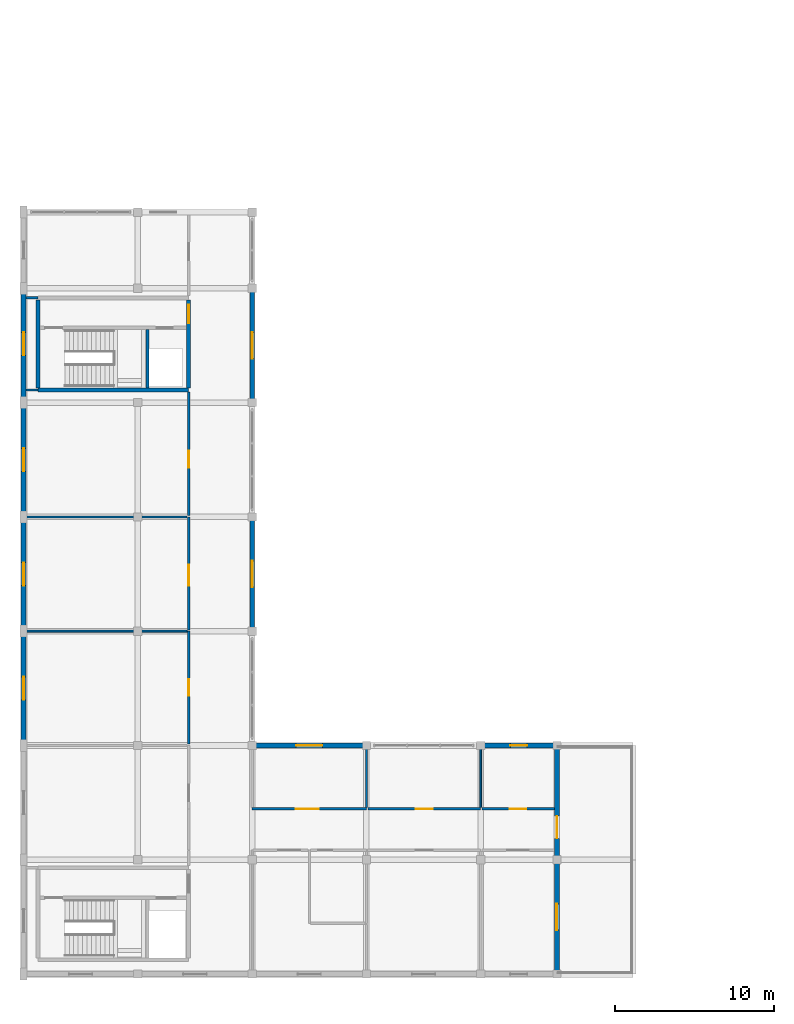
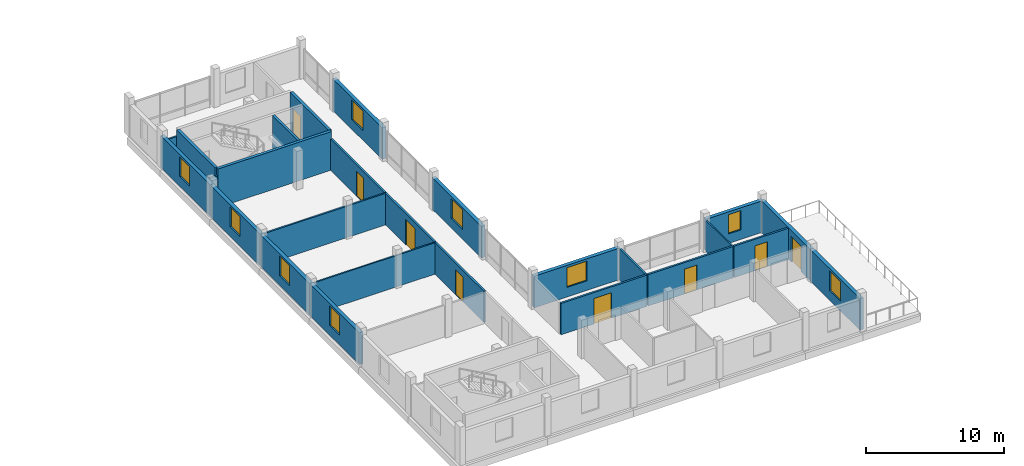
# One storey, part 20 of 26: 26 walls, 9 windows, 8 doors, 17 openings.
"""IFC4 building model written with IfcOpenShell, lengths in metres."""

from ifc_helpers import new_model, si_unit, direction, frame, frame_2d, origin, place, context, subcontext, project, spatial, rectangle, extrude, material, layer, layer_set, type_object, element, fill, save


model = new_model("IFC4")

# Units and contexts
model_context = context("Model", 3, precision=1e-05, world=origin(), true_north=direction((0.0, 1.0)))
body_context = subcontext(model_context, "Body", "Model", "MODEL_VIEW")
ifc_project = project(units=[si_unit("LENGTHUNIT", "METRE"), si_unit("AREAUNIT", "SQUARE_METRE"), si_unit("VOLUMEUNIT", "CUBIC_METRE"), si_unit("PLANEANGLEUNIT", "RADIAN"), si_unit("MASSUNIT", "GRAM", prefix="KILO")], contexts=[model_context])

# Site, building, storey
site_placement = place(None, origin())
site = spatial("IfcSite", under=ifc_project, at=site_placement, CompositionType="ELEMENT")
building_placement = place(site_placement, origin())
building = spatial("IfcBuilding", under=site, at=building_placement, Name="Zornivar Specialist Clinic", CompositionType="ELEMENT")
storey_placement = place(building_placement, frame((0.0, 0.0, 19.699951171875)))
storey = spatial("IfcBuildingStorey", under=building, at=storey_placement, Name="L05", CompositionType="ELEMENT", Elevation=19.699951171875)

# Wall, opening, window
ifc_material_1 = material(Name="Masonry Timber-Clad Insulated Upper Cumba Wall", Category="masonry")
ifc_layer_1 = layer(ifc_material_1, 0.300048828125)
ifc_layer_set_1 = layer_set([ifc_layer_1], Name="Masonry Timber-Clad Insulated Upper Cumba Wall")
wall_type_1 = type_object("IfcWallType", Name="EW-CUMBA-300", PredefinedType="SOLIDWALL", material=ifc_layer_set_1)
wall_1_placement = place(storey_placement, frame((33.60009765625, 0.0, 0.0), z_axis=(0.0, 0.0, 1.0), x_axis=(0.0, 1.0, 0.0)))
wall_1 = element("IfcWall", 1, at=wall_1_placement, inside=storey, type_object=wall_type_1, Name="ew:V2:L05:05", PredefinedType="SOLIDWALL", context=body_context, shape_type="SweptSolid", body=[
    extrude(rectangle(XDim=7.199951171875, YDim=0.300048828125, at=frame_2d((3.60009765625, 0.0))), origin(), (0.0, 0.0, 1.0), 2.800048828125),
])
opening_1_placement = place(wall_1_placement, frame((2.77490234375, 0.0, 0.85009765625)))
opening_1 = element("IfcOpeningElement", 2, at=opening_1_placement, cuts=wall_1, Name="Opening W-09", PredefinedType="OPENING", context=body_context, shape_type="SweptSolid", body=[
    extrude(rectangle(XDim=1.64990234375, YDim=1.75, at=frame_2d((0.824951171875, 0.875))), frame((0.0, 0.159912109375, 0.0), z_axis=(0.0, -1.0, 0.0), x_axis=(1.0, 0.0, 0.0)), (0.0, 0.0, 1.0), 0.320068359375),
])
ifc_material_2 = material(Name="Triple-Glazed Aluminium-Timber Window Glass", Category="wood")
window_type_1 = type_object("IfcWindowType", Name="WIN-CUMBA-COURT-1650x1750", PartitioningType="SINGLE_PANEL", PredefinedType="WINDOW", material=ifc_material_2)
window_1_placement = place(opening_1_placement, origin())
window_1 = element("IfcWindow", 3, at=window_1_placement, inside=storey, type_object=window_type_1, Name="win:V2:L05:05", OverallHeight=1.75, OverallWidth=1.64990234375, PartitioningType="SINGLE_PANEL", PredefinedType="WINDOW", context=body_context, shape_type="SweptSolid", body=[
    extrude(rectangle(XDim=1.64990234375, YDim=1.75, at=frame_2d((0.824951171875, 0.875))), frame((0.0, 0.030029296875, 0.0), z_axis=(0.0, -1.0, 0.0), x_axis=(1.0, 0.0, 0.0)), (0.0, 0.0, 1.0), 0.06005859375),
])
fill(opening_1, window_1)

# Wall, opening, door
wall_2_placement = place(storey_placement, frame((33.60009765625, 7.199951171875, 0.0), z_axis=(0.0, 0.0, 1.0), x_axis=(0.0, 1.0, 0.0)))
wall_2 = element("IfcWall", 4, at=wall_2_placement, inside=storey, type_object=wall_type_1, Name="ew:V2:L05:06", PredefinedType="SOLIDWALL", context=body_context, shape_type="SweptSolid", body=[
    extrude(rectangle(XDim=7.199951171875, YDim=0.300048828125, at=frame_2d((3.60009765625, 0.0))), origin(), (0.0, 0.0, 1.0), 2.800048828125),
])
opening_2_placement = place(wall_2_placement, frame((1.35009765625, 0.0, 0.0)))
opening_2 = element("IfcOpeningElement", 5, at=opening_2_placement, cuts=wall_2, Name="Opening TD-01", PredefinedType="OPENING", context=body_context, shape_type="SweptSolid", body=[
    extrude(rectangle(XDim=1.39990234375, YDim=2.25, at=frame_2d((0.699951171875, 1.125))), frame((0.0, 0.159912109375, 0.0), z_axis=(0.0, -1.0, 0.0), x_axis=(1.0, 0.0, 0.0)), (0.0, 0.0, 1.0), 0.320068359375),
])
ifc_material_3 = material(Name="Thermally Broken Glazed Aluminium Door", Category="aluminium")
door_type_1 = type_object("IfcDoorType", Name="TD-TERR-1400x2250", OperationType="NOTDEFINED", PredefinedType="DOOR", material=ifc_material_3)
door_1_placement = place(opening_2_placement, origin())
door_1 = element("IfcDoor", 6, at=door_1_placement, inside=storey, type_object=door_type_1, Name="door:V2:L05:terr:0", OperationType="SINGLE_SWING_RIGHT", OverallHeight=2.25, OverallWidth=1.39990234375, PredefinedType="DOOR", context=body_context, shape_type="SweptSolid", body=[
    extrude(rectangle(XDim=1.39990234375, YDim=2.25, at=frame_2d((0.699951171875, 1.125))), frame((0.0, 0.02490234375, 0.0), z_axis=(0.0, -1.0, 0.0), x_axis=(1.0, 0.0, 0.0)), (0.0, 0.0, 1.0), 0.050048828125),
])
fill(opening_2, door_1)

# Wall, opening, window
wall_3_placement = place(storey_placement, frame((33.60009765625, 14.39990234375, 0.0), z_axis=(0.0, 0.0, 1.0), x_axis=(-1.0, 0.0, 0.0)))
wall_3 = element("IfcWall", 7, at=wall_3_placement, inside=storey, type_object=wall_type_1, Name="ew:V2:L05:07", PredefinedType="SOLIDWALL", context=body_context, shape_type="SweptSolid", body=[
    extrude(rectangle(XDim=4.800048828125, YDim=0.300048828125, at=frame_2d((2.39990234375, 0.0))), origin(), (0.0, 0.0, 1.0), 2.800048828125),
])
opening_3_placement = place(wall_3_placement, frame((1.875, 0.0, 0.85009765625)))
opening_3 = element("IfcOpeningElement", 8, at=opening_3_placement, cuts=wall_3, Name="Opening W-10", PredefinedType="OPENING", context=body_context, shape_type="SweptSolid", body=[
    extrude(rectangle(XDim=1.050048828125, YDim=1.699951171875, at=frame_2d((0.52490234375, 0.85009765625))), frame((0.0, 0.159912109375, 0.0), z_axis=(0.0, -1.0, 0.0), x_axis=(1.0, 0.0, 0.0)), (0.0, 0.0, 1.0), 0.320068359375),
])
ifc_material_4 = material(Name="Triple-Glazed Aluminium-Timber Window Glass", Category="wood")
window_type_2 = type_object("IfcWindowType", Name="WIN-CUMBA-PIER-1050x1700", PartitioningType="SINGLE_PANEL", PredefinedType="WINDOW", material=ifc_material_4)
window_2_placement = place(opening_3_placement, origin())
window_2 = element("IfcWindow", 9, at=window_2_placement, inside=storey, type_object=window_type_2, Name="win:V2:L05:07", OverallHeight=1.699951171875, OverallWidth=1.050048828125, PartitioningType="SINGLE_PANEL", PredefinedType="WINDOW", context=body_context, shape_type="SweptSolid", body=[
    extrude(rectangle(XDim=1.050048828125, YDim=1.699951171875, at=frame_2d((0.52490234375, 0.85009765625))), frame((0.0, 0.030029296875, 0.0), z_axis=(0.0, -1.0, 0.0), x_axis=(1.0, 0.0, 0.0)), (0.0, 0.0, 1.0), 0.06005859375),
])
fill(opening_3, window_2)

wall_4_placement = place(storey_placement, frame((21.60009765625, 14.39990234375, 0.0), z_axis=(0.0, 0.0, 1.0), x_axis=(-1.0, 0.0, 0.0)))
wall_4 = element("IfcWall", 10, at=wall_4_placement, inside=storey, type_object=wall_type_1, Name="ew:V2:L05:09", PredefinedType="SOLIDWALL", context=body_context, shape_type="SweptSolid", body=[
    extrude(rectangle(XDim=7.2001953125, YDim=0.300048828125, at=frame_2d((3.60009765625, 0.0))), origin(), (0.0, 0.0, 1.0), 2.800048828125),
])
opening_4_placement = place(wall_4_placement, frame((2.77490234375, 0.0, 0.85009765625)))
opening_4 = element("IfcOpeningElement", 11, at=opening_4_placement, cuts=wall_4, Name="Opening W-09", PredefinedType="OPENING", context=body_context, shape_type="SweptSolid", body=[
    extrude(rectangle(XDim=1.64990234375, YDim=1.75, at=frame_2d((0.824951171875, 0.875))), frame((0.0, 0.159912109375, 0.0), z_axis=(0.0, -1.0, 0.0), x_axis=(1.0, 0.0, 0.0)), (0.0, 0.0, 1.0), 0.320068359375),
])
window_3_placement = place(opening_4_placement, origin())
window_3 = element("IfcWindow", 12, at=window_3_placement, inside=storey, type_object=window_type_1, Name="win:V2:L05:09", OverallHeight=1.75, OverallWidth=1.64990234375, PartitioningType="SINGLE_PANEL", PredefinedType="WINDOW", context=body_context, shape_type="SweptSolid", body=[
    extrude(rectangle(XDim=1.64990234375, YDim=1.75, at=frame_2d((0.824951171875, 0.875))), frame((0.0, 0.030029296875, 0.0), z_axis=(0.0, -1.0, 0.0), x_axis=(1.0, 0.0, 0.0)), (0.0, 0.0, 1.0), 0.06005859375),
])
fill(opening_4, window_3)

wall_5_placement = place(storey_placement, frame((14.39990234375, 21.60009765625, 0.0), z_axis=(0.0, 0.0, 1.0), x_axis=(0.0, 1.0, 0.0)))
wall_5 = element("IfcWall", 13, at=wall_5_placement, inside=storey, type_object=wall_type_1, Name="ew:V2:L05:11", PredefinedType="SOLIDWALL", context=body_context, shape_type="SweptSolid", body=[
    extrude(rectangle(XDim=7.199951171875, YDim=0.300048828125, at=frame_2d((3.60009765625, 0.0))), origin(), (0.0, 0.0, 1.0), 2.800048828125),
])
opening_5_placement = place(wall_5_placement, frame((2.77490234375, 0.0, 0.85009765625)))
opening_5 = element("IfcOpeningElement", 14, at=opening_5_placement, cuts=wall_5, Name="Opening W-09", PredefinedType="OPENING", context=body_context, shape_type="SweptSolid", body=[
    extrude(rectangle(XDim=1.64990234375, YDim=1.75, at=frame_2d((0.824951171875, 0.875))), frame((0.0, 0.159912109375, 0.0), z_axis=(0.0, -1.0, 0.0), x_axis=(1.0, 0.0, 0.0)), (0.0, 0.0, 1.0), 0.320068359375),
])
window_4_placement = place(opening_5_placement, origin())
window_4 = element("IfcWindow", 15, at=window_4_placement, inside=storey, type_object=window_type_1, Name="win:V2:L05:11", OverallHeight=1.75, OverallWidth=1.64990234375, PartitioningType="SINGLE_PANEL", PredefinedType="WINDOW", context=body_context, shape_type="SweptSolid", body=[
    extrude(rectangle(XDim=1.64990234375, YDim=1.75, at=frame_2d((0.824951171875, 0.875))), frame((0.0, 0.030029296875, 0.0), z_axis=(0.0, -1.0, 0.0), x_axis=(1.0, 0.0, 0.0)), (0.0, 0.0, 1.0), 0.06005859375),
])
fill(opening_5, window_4)

wall_6_placement = place(storey_placement, frame((14.39990234375, 36.0, 0.0), z_axis=(0.0, 0.0, 1.0), x_axis=(0.0, 1.0, 0.0)))
wall_6 = element("IfcWall", 16, at=wall_6_placement, inside=storey, type_object=wall_type_1, Name="ew:V2:L05:13", PredefinedType="SOLIDWALL", context=body_context, shape_type="SweptSolid", body=[
    extrude(rectangle(XDim=7.199951171875, YDim=0.300048828125, at=frame_2d((3.60009765625, 0.0))), origin(), (0.0, 0.0, 1.0), 2.800048828125),
])
opening_6_placement = place(wall_6_placement, frame((2.77490234375, 0.0, 0.85009765625)))
opening_6 = element("IfcOpeningElement", 17, at=opening_6_placement, cuts=wall_6, Name="Opening W-09", PredefinedType="OPENING", context=body_context, shape_type="SweptSolid", body=[
    extrude(rectangle(XDim=1.64990234375, YDim=1.75, at=frame_2d((0.824951171875, 0.875))), frame((0.0, 0.159912109375, 0.0), z_axis=(0.0, -1.0, 0.0), x_axis=(1.0, 0.0, 0.0)), (0.0, 0.0, 1.0), 0.320068359375),
])
window_5_placement = place(opening_6_placement, origin())
window_5 = element("IfcWindow", 18, at=window_5_placement, inside=storey, type_object=window_type_1, Name="win:V2:L05:13", OverallHeight=1.75, OverallWidth=1.64990234375, PartitioningType="SINGLE_PANEL", PredefinedType="WINDOW", context=body_context, shape_type="SweptSolid", body=[
    extrude(rectangle(XDim=1.64990234375, YDim=1.75, at=frame_2d((0.824951171875, 0.875))), frame((0.0, 0.030029296875, 0.0), z_axis=(0.0, -1.0, 0.0), x_axis=(1.0, 0.0, 0.0)), (0.0, 0.0, 1.0), 0.06005859375),
])
fill(opening_6, window_5)

wall_7_placement = place(storey_placement, frame((0.0, 43.199951171875, 0.0), z_axis=(0.0, 0.0, 1.0), x_axis=(0.0, -1.0, 0.0)))
wall_7 = element("IfcWall", 19, at=wall_7_placement, inside=storey, type_object=wall_type_1, Name="ew:V2:L05:18", PredefinedType="SOLIDWALL", context=body_context, shape_type="SweptSolid", body=[
    extrude(rectangle(XDim=7.199951171875, YDim=0.300048828125, at=frame_2d((3.60009765625, 0.0))), origin(), (0.0, 0.0, 1.0), 2.800048828125),
])
opening_7_placement = place(wall_7_placement, frame((2.77490234375, 0.0, 0.85009765625)))
opening_7 = element("IfcOpeningElement", 20, at=opening_7_placement, cuts=wall_7, Name="Opening W-08", PredefinedType="OPENING", context=body_context, shape_type="SweptSolid", body=[
    extrude(rectangle(XDim=1.449951171875, YDim=1.75, at=frame_2d((0.72509765625, 0.875))), frame((0.0, 0.159912109375, 0.0), z_axis=(0.0, -1.0, 0.0), x_axis=(1.0, 0.0, 0.0)), (0.0, 0.0, 1.0), 0.320068359375),
])
ifc_material_5 = material(Name="Triple-Glazed Aluminium-Timber Window Glass", Category="wood")
window_type_3 = type_object("IfcWindowType", Name="WIN-CUMBA-STREET-1450x1750", PartitioningType="SINGLE_PANEL", PredefinedType="WINDOW", material=ifc_material_5)
window_6_placement = place(opening_7_placement, origin())
window_6 = element("IfcWindow", 21, at=window_6_placement, inside=storey, type_object=window_type_3, Name="win:V2:L05:18", OverallHeight=1.75, OverallWidth=1.449951171875, PartitioningType="SINGLE_PANEL", PredefinedType="WINDOW", context=body_context, shape_type="SweptSolid", body=[
    extrude(rectangle(XDim=1.449951171875, YDim=1.75, at=frame_2d((0.72509765625, 0.875))), frame((0.0, 0.030029296875, 0.0), z_axis=(0.0, -1.0, 0.0), x_axis=(1.0, 0.0, 0.0)), (0.0, 0.0, 1.0), 0.06005859375),
])
fill(opening_7, window_6)

wall_8_placement = place(storey_placement, frame((0.0, 36.0, 0.0), z_axis=(0.0, 0.0, 1.0), x_axis=(0.0, -1.0, 0.0)))
wall_8 = element("IfcWall", 22, at=wall_8_placement, inside=storey, type_object=wall_type_1, Name="ew:V2:L05:19", PredefinedType="SOLIDWALL", context=body_context, shape_type="SweptSolid", body=[
    extrude(rectangle(XDim=7.199951171875, YDim=0.300048828125, at=frame_2d((3.60009765625, 0.0))), origin(), (0.0, 0.0, 1.0), 2.800048828125),
])
opening_8_placement = place(wall_8_placement, frame((2.875, 0.0, 0.85009765625)))
opening_8 = element("IfcOpeningElement", 23, at=opening_8_placement, cuts=wall_8, Name="Opening W-08", PredefinedType="OPENING", context=body_context, shape_type="SweptSolid", body=[
    extrude(rectangle(XDim=1.449951171875, YDim=1.75, at=frame_2d((0.72509765625, 0.875))), frame((0.0, 0.159912109375, 0.0), z_axis=(0.0, -1.0, 0.0), x_axis=(1.0, 0.0, 0.0)), (0.0, 0.0, 1.0), 0.320068359375),
])
window_7_placement = place(opening_8_placement, origin())
window_7 = element("IfcWindow", 24, at=window_7_placement, inside=storey, type_object=window_type_3, Name="win:V2:L05:19", OverallHeight=1.75, OverallWidth=1.449951171875, PartitioningType="SINGLE_PANEL", PredefinedType="WINDOW", context=body_context, shape_type="SweptSolid", body=[
    extrude(rectangle(XDim=1.449951171875, YDim=1.75, at=frame_2d((0.72509765625, 0.875))), frame((0.0, 0.030029296875, 0.0), z_axis=(0.0, -1.0, 0.0), x_axis=(1.0, 0.0, 0.0)), (0.0, 0.0, 1.0), 0.06005859375),
])
fill(opening_8, window_7)

wall_9_placement = place(storey_placement, frame((0.0, 28.800048828125, 0.0), z_axis=(0.0, 0.0, 1.0), x_axis=(0.0, -1.0, 0.0)))
wall_9 = element("IfcWall", 25, at=wall_9_placement, inside=storey, type_object=wall_type_1, Name="ew:V2:L05:20", PredefinedType="SOLIDWALL", context=body_context, shape_type="SweptSolid", body=[
    extrude(rectangle(XDim=7.199951171875, YDim=0.300048828125, at=frame_2d((3.60009765625, 0.0))), origin(), (0.0, 0.0, 1.0), 2.800048828125),
])
opening_9_placement = place(wall_9_placement, frame((2.875, 0.0, 0.85009765625)))
opening_9 = element("IfcOpeningElement", 26, at=opening_9_placement, cuts=wall_9, Name="Opening W-08", PredefinedType="OPENING", context=body_context, shape_type="SweptSolid", body=[
    extrude(rectangle(XDim=1.449951171875, YDim=1.75, at=frame_2d((0.72509765625, 0.875))), frame((0.0, 0.159912109375, 0.0), z_axis=(0.0, -1.0, 0.0), x_axis=(1.0, 0.0, 0.0)), (0.0, 0.0, 1.0), 0.320068359375),
])
window_8_placement = place(opening_9_placement, origin())
window_8 = element("IfcWindow", 27, at=window_8_placement, inside=storey, type_object=window_type_3, Name="win:V2:L05:20", OverallHeight=1.75, OverallWidth=1.449951171875, PartitioningType="SINGLE_PANEL", PredefinedType="WINDOW", context=body_context, shape_type="SweptSolid", body=[
    extrude(rectangle(XDim=1.449951171875, YDim=1.75, at=frame_2d((0.72509765625, 0.875))), frame((0.0, 0.030029296875, 0.0), z_axis=(0.0, -1.0, 0.0), x_axis=(1.0, 0.0, 0.0)), (0.0, 0.0, 1.0), 0.06005859375),
])
fill(opening_9, window_8)

wall_10_placement = place(storey_placement, frame((0.0, 21.60009765625, 0.0), z_axis=(0.0, 0.0, 1.0), x_axis=(0.0, -1.0, 0.0)))
wall_10 = element("IfcWall", 28, at=wall_10_placement, inside=storey, type_object=wall_type_1, Name="ew:V2:L05:21", PredefinedType="SOLIDWALL", context=body_context, shape_type="SweptSolid", body=[
    extrude(rectangle(XDim=7.2001953125, YDim=0.300048828125, at=frame_2d((3.60009765625, 0.0))), origin(), (0.0, 0.0, 1.0), 2.800048828125),
])
opening_10_placement = place(wall_10_placement, frame((2.875, 0.0, 0.85009765625)))
opening_10 = element("IfcOpeningElement", 29, at=opening_10_placement, cuts=wall_10, Name="Opening W-08", PredefinedType="OPENING", context=body_context, shape_type="SweptSolid", body=[
    extrude(rectangle(XDim=1.449951171875, YDim=1.75, at=frame_2d((0.72509765625, 0.875))), frame((0.0, 0.159912109375, 0.0), z_axis=(0.0, -1.0, 0.0), x_axis=(1.0, 0.0, 0.0)), (0.0, 0.0, 1.0), 0.320068359375),
])
window_9_placement = place(opening_10_placement, origin())
window_9 = element("IfcWindow", 30, at=window_9_placement, inside=storey, type_object=window_type_3, Name="win:V2:L05:21", OverallHeight=1.75, OverallWidth=1.449951171875, PartitioningType="SINGLE_PANEL", PredefinedType="WINDOW", context=body_context, shape_type="SweptSolid", body=[
    extrude(rectangle(XDim=1.449951171875, YDim=1.75, at=frame_2d((0.72509765625, 0.875))), frame((0.0, 0.030029296875, 0.0), z_axis=(0.0, -1.0, 0.0), x_axis=(1.0, 0.0, 0.0)), (0.0, 0.0, 1.0), 0.06005859375),
])
fill(opening_10, window_9)

# Walls
ifc_material_6 = material(Name="Acoustic Clinical Stud Partition")
ifc_layer_2 = layer(ifc_material_6, 0.139892578125)
ifc_layer_set_2 = layer_set([ifc_layer_2], Name="Acoustic Clinical Stud Partition")
wall_type_2 = type_object("IfcWallType", Name="IW-CLIN-140", PredefinedType="PARTITIONING", material=ifc_layer_set_2)
wall_11_placement = place(storey_placement, frame((0.1650390625, 28.800048828125, 0.0), z_axis=(0.0, 0.0, 1.0), x_axis=(1.0, 0.0, 0.0)))
element("IfcWall", 31, at=wall_11_placement, inside=storey, type_object=wall_type_2, Name="iw:L05:008", PredefinedType="PARTITIONING", context=body_context, shape_type="SweptSolid", body=[
    extrude(rectangle(XDim=10.140869140625, YDim=0.139892578125, at=frame_2d((5.0703125, 0.0))), origin(), (0.0, 0.0, 1.0), 2.780029296875),
])
for number, where, z_axis, x_axis, name in (
    (32, (0.1650390625, 36.800048828125, 0.0), (0.0, 0.0, 1.0), (1.0, 0.0, 0.0), "iw:L05:010"),
    (33, (0.89990234375, 42.60009765625, 0.0), (0.0, 0.0, 1.0), (-1.0, 0.0, 0.0), "iw:L05:012"),
):
    element("IfcWall", number, at=place(storey_placement, frame(where, z_axis=z_axis, x_axis=x_axis)), inside=storey, type_object=wall_type_2, Name=name, PredefinedType="PARTITIONING", context=body_context, shape_type="SweptSolid", body=[
        extrude(rectangle(XDim=0.73486328125, YDim=0.139892578125, at=frame_2d((0.367431640625, 0.0))), origin(), (0.0, 0.0, 1.0), 2.780029296875),
    ])
wall_12_placement = place(storey_placement, frame((21.60009765625, 14.235107421875, 0.0), z_axis=(0.0, 0.0, 1.0), x_axis=(0.0, -1.0, 0.0)))
element("IfcWall", 34, at=wall_12_placement, inside=storey, type_object=wall_type_2, Name="iw:L05:022", PredefinedType="PARTITIONING", context=body_context, shape_type="SweptSolid", body=[
    extrude(rectangle(XDim=3.7412109375, YDim=0.139892578125, at=frame_2d((1.87060546875, 0.0))), origin(), (0.0, 0.0, 1.0), 2.780029296875),
])

# Wall, opening, door
ifc_material_7 = material(Name="Gypsum Fire-Rated Double Stud Partition")
ifc_layer_3 = layer(ifc_material_7, 0.159912109375)
ifc_layer_set_3 = layer_set([ifc_layer_3], Name="Gypsum Fire-Rated Double Stud Partition")
wall_type_3 = type_object("IfcWallType", Name="IW-CORR-EI60-160", PredefinedType="PARTITIONING", material=ifc_layer_set_3)
wall_13_placement = place(storey_placement, frame((10.39990234375, 21.60009765625, 0.0), z_axis=(0.0, 0.0, 1.0), x_axis=(0.0, -1.0, 0.0)))
wall_13 = element("IfcWall", 35, at=wall_13_placement, inside=storey, type_object=wall_type_3, Name="iw:L05:005", PredefinedType="PARTITIONING", context=body_context, shape_type="SweptSolid", body=[
    extrude(rectangle(XDim=7.1162109375, YDim=0.159912109375, at=frame_2d((3.55810546875, 0.0))), origin(), (0.0, 0.0, 1.0), 2.780029296875),
])
opening_11_placement = place(wall_13_placement, frame((3.032958984375, 0.0, 0.0)))
opening_11 = element("IfcOpeningElement", 36, at=opening_11_placement, cuts=wall_13, Name="Opening ID-15", PredefinedType="OPENING", context=body_context, shape_type="SweptSolid", body=[
    extrude(rectangle(XDim=1.050048828125, YDim=2.199951171875, at=frame_2d((0.52490234375, 1.10009765625))), frame((0.0, 0.08984375, 0.0), z_axis=(0.0, -1.0, 0.0), x_axis=(1.0, 0.0, 0.0)), (0.0, 0.0, 1.0), 0.179931640625),
])
ifc_material_8 = material(Name="Solid-Core Hygienic Laminate Timber Door", Category="wood")
door_type_2 = type_object("IfcDoorType", Name="ID-COUNS-1050x2200", OperationType="NOTDEFINED", PredefinedType="DOOR", material=ifc_material_8)
door_2_placement = place(opening_11_placement, origin())
door_2 = element("IfcDoor", 37, at=door_2_placement, inside=storey, type_object=door_type_2, Name="door:space:V2:L05:rm:01", OperationType="SINGLE_SWING_RIGHT", OverallHeight=2.199951171875, OverallWidth=1.050048828125, PredefinedType="DOOR", context=body_context, shape_type="SweptSolid", body=[
    extrude(rectangle(XDim=1.050048828125, YDim=2.199951171875, at=frame_2d((0.52490234375, 1.10009765625))), frame((0.0, 0.02490234375, 0.0), z_axis=(0.0, -1.0, 0.0), x_axis=(1.0, 0.0, 0.0)), (0.0, 0.0, 1.0), 0.050048828125),
])
fill(opening_11, door_2)

wall_14_placement = place(storey_placement, frame((10.39990234375, 28.800048828125, 0.0), z_axis=(0.0, 0.0, 1.0), x_axis=(0.0, -1.0, 0.0)))
wall_14 = element("IfcWall", 38, at=wall_14_placement, inside=storey, type_object=wall_type_3, Name="iw:L05:007", PredefinedType="PARTITIONING", context=body_context, shape_type="SweptSolid", body=[
    extrude(rectangle(XDim=7.1259765625, YDim=0.159912109375, at=frame_2d((3.56298828125, 0.0))), origin(), (0.0, 0.0, 1.0), 2.780029296875),
])
opening_12_placement = place(wall_14_placement, frame((3.0029296875, 0.0, 0.0)))
opening_12 = element("IfcOpeningElement", 39, at=opening_12_placement, cuts=wall_14, Name="Opening ID-10", PredefinedType="OPENING", context=body_context, shape_type="SweptSolid", body=[
    extrude(rectangle(XDim=1.35009765625, YDim=2.25, at=frame_2d((0.675048828125, 1.125))), frame((0.0, 0.08984375, 0.0), z_axis=(0.0, -1.0, 0.0), x_axis=(1.0, 0.0, 0.0)), (0.0, 0.0, 1.0), 0.179931640625),
])
ifc_material_9 = material(Name="Solid-Core Hygienic Laminate Timber Door", Category="wood")
door_type_3 = type_object("IfcDoorType", Name="ID-TEACH-1350x2250", OperationType="NOTDEFINED", PredefinedType="DOOR", material=ifc_material_9)
door_3_placement = place(opening_12_placement, origin())
door_3 = element("IfcDoor", 40, at=door_3_placement, inside=storey, type_object=door_type_3, Name="door:space:V2:L05:rm:02", OperationType="SINGLE_SWING_LEFT", OverallHeight=2.25, OverallWidth=1.35009765625, PredefinedType="DOOR", context=body_context, shape_type="SweptSolid", body=[
    extrude(rectangle(XDim=1.35009765625, YDim=2.25, at=frame_2d((0.675048828125, 1.125))), frame((0.0, 0.02490234375, 0.0), z_axis=(0.0, -1.0, 0.0), x_axis=(1.0, 0.0, 0.0)), (0.0, 0.0, 1.0), 0.050048828125),
])
fill(opening_12, door_3)

wall_15_placement = place(storey_placement, frame((10.39990234375, 36.6650390625, 0.0), z_axis=(0.0, 0.0, 1.0), x_axis=(0.0, -1.0, 0.0)))
wall_15 = element("IfcWall", 41, at=wall_15_placement, inside=storey, type_object=wall_type_3, Name="iw:L05:009", PredefinedType="PARTITIONING", context=body_context, shape_type="SweptSolid", body=[
    extrude(rectangle(XDim=7.781005859375, YDim=0.159912109375, at=frame_2d((3.890625, 0.0))), origin(), (0.0, 0.0, 1.0), 2.780029296875),
])
opening_13_placement = place(wall_15_placement, frame((3.7119140625, 0.0, 0.0)))
opening_13 = element("IfcOpeningElement", 42, at=opening_13_placement, cuts=wall_15, Name="Opening ID-15", PredefinedType="OPENING", context=body_context, shape_type="SweptSolid", body=[
    extrude(rectangle(XDim=1.050048828125, YDim=2.199951171875, at=frame_2d((0.52490234375, 1.10009765625))), frame((0.0, 0.08984375, 0.0), z_axis=(0.0, -1.0, 0.0), x_axis=(1.0, 0.0, 0.0)), (0.0, 0.0, 1.0), 0.179931640625),
])
door_4_placement = place(opening_13_placement, origin())
door_4 = element("IfcDoor", 43, at=door_4_placement, inside=storey, type_object=door_type_2, Name="door:space:V2:L05:rm:03", OperationType="SINGLE_SWING_RIGHT", OverallHeight=2.199951171875, OverallWidth=1.050048828125, PredefinedType="DOOR", context=body_context, shape_type="SweptSolid", body=[
    extrude(rectangle(XDim=1.050048828125, YDim=2.199951171875, at=frame_2d((0.52490234375, 1.10009765625))), frame((0.0, 0.02490234375, 0.0), z_axis=(0.0, -1.0, 0.0), x_axis=(1.0, 0.0, 0.0)), (0.0, 0.0, 1.0), 0.050048828125),
])
fill(opening_13, door_4)

wall_16_placement = place(storey_placement, frame((21.60009765625, 10.39990234375, 0.0), z_axis=(0.0, 0.0, 1.0), x_axis=(-1.0, 0.0, 0.0)))
wall_16 = element("IfcWall", 44, at=wall_16_placement, inside=storey, type_object=wall_type_3, Name="iw:L05:020", PredefinedType="PARTITIONING", context=body_context, shape_type="SweptSolid", body=[
    extrude(rectangle(XDim=7.2001953125, YDim=0.159912109375, at=frame_2d((3.60009765625, 0.0))), origin(), (0.0, 0.0, 1.0), 2.780029296875),
])
opening_14_placement = place(wall_16_placement, frame((2.989013671875, 0.0, 0.0)))
opening_14 = element("IfcOpeningElement", 45, at=opening_14_placement, cuts=wall_16, Name="Opening ID-11", PredefinedType="OPENING", context=body_context, shape_type="SweptSolid", body=[
    extrude(rectangle(XDim=1.449951171875, YDim=2.25, at=frame_2d((0.72509765625, 1.125))), frame((0.0, 0.08984375, 0.0), z_axis=(0.0, -1.0, 0.0), x_axis=(1.0, 0.0, 0.0)), (0.0, 0.0, 1.0), 0.179931640625),
])
ifc_material_10 = material(Name="Solid-Core Hygienic Laminate Timber Door", Category="wood")
door_type_4 = type_object("IfcDoorType", Name="ID-INFUS-1450x2250", OperationType="NOTDEFINED", PredefinedType="DOOR", material=ifc_material_10)
door_5_placement = place(opening_14_placement, origin())
door_5 = element("IfcDoor", 46, at=door_5_placement, inside=storey, type_object=door_type_4, Name="door:space:V2:L05:rm:07", OperationType="DOUBLE_DOOR_SINGLE_SWING", OverallHeight=2.25, OverallWidth=1.449951171875, PredefinedType="DOOR", context=body_context, shape_type="SweptSolid", body=[
    extrude(rectangle(XDim=1.449951171875, YDim=2.25, at=frame_2d((0.72509765625, 1.125))), frame((0.0, 0.02490234375, 0.0), z_axis=(0.0, -1.0, 0.0), x_axis=(1.0, 0.0, 0.0)), (0.0, 0.0, 1.0), 0.050048828125),
])
fill(opening_14, door_5)

wall_17_placement = place(storey_placement, frame((28.800048828125, 10.39990234375, 0.0), z_axis=(0.0, 0.0, 1.0), x_axis=(-1.0, 0.0, 0.0)))
wall_17 = element("IfcWall", 47, at=wall_17_placement, inside=storey, type_object=wall_type_3, Name="iw:L05:025", PredefinedType="PARTITIONING", context=body_context, shape_type="SweptSolid", body=[
    extrude(rectangle(XDim=7.115966796875, YDim=0.159912109375, at=frame_2d((3.55810546875, 0.0))), origin(), (0.0, 0.0, 1.0), 2.780029296875),
])
opening_15_placement = place(wall_17_placement, frame((3.032958984375, 0.0, 0.0)))
opening_15 = element("IfcOpeningElement", 48, at=opening_15_placement, cuts=wall_17, Name="Opening ID-15", PredefinedType="OPENING", context=body_context, shape_type="SweptSolid", body=[
    extrude(rectangle(XDim=1.050048828125, YDim=2.199951171875, at=frame_2d((0.52490234375, 1.10009765625))), frame((0.0, 0.08984375, 0.0), z_axis=(0.0, -1.0, 0.0), x_axis=(1.0, 0.0, 0.0)), (0.0, 0.0, 1.0), 0.179931640625),
])
door_6_placement = place(opening_15_placement, origin())
door_6 = element("IfcDoor", 49, at=door_6_placement, inside=storey, type_object=door_type_2, Name="door:space:V2:L05:rm:09", OperationType="SINGLE_SWING_RIGHT", OverallHeight=2.199951171875, OverallWidth=1.050048828125, PredefinedType="DOOR", context=body_context, shape_type="SweptSolid", body=[
    extrude(rectangle(XDim=1.050048828125, YDim=2.199951171875, at=frame_2d((0.52490234375, 1.10009765625))), frame((0.0, 0.02490234375, 0.0), z_axis=(0.0, -1.0, 0.0), x_axis=(1.0, 0.0, 0.0)), (0.0, 0.0, 1.0), 0.050048828125),
])
fill(opening_15, door_6)

wall_18_placement = place(storey_placement, frame((33.43505859375, 10.39990234375, 0.0), z_axis=(0.0, 0.0, 1.0), x_axis=(-1.0, 0.0, 0.0)))
wall_18 = element("IfcWall", 50, at=wall_18_placement, inside=storey, type_object=wall_type_3, Name="iw:L05:028", PredefinedType="PARTITIONING", context=body_context, shape_type="SweptSolid", body=[
    extrude(rectangle(XDim=4.56103515625, YDim=0.159912109375, at=frame_2d((2.280517578125, 0.0))), origin(), (0.0, 0.0, 1.0), 2.780029296875),
])
opening_16_placement = place(wall_18_placement, frame((1.756103515625, 0.0, 0.0)))
opening_16 = element("IfcOpeningElement", 51, at=opening_16_placement, cuts=wall_18, Name="Opening ID-15", PredefinedType="OPENING", context=body_context, shape_type="SweptSolid", body=[
    extrude(rectangle(XDim=1.050048828125, YDim=2.199951171875, at=frame_2d((0.52490234375, 1.10009765625))), frame((0.0, 0.08984375, 0.0), z_axis=(0.0, -1.0, 0.0), x_axis=(1.0, 0.0, 0.0)), (0.0, 0.0, 1.0), 0.179931640625),
])
door_7_placement = place(opening_16_placement, origin())
door_7 = element("IfcDoor", 52, at=door_7_placement, inside=storey, type_object=door_type_2, Name="door:space:V2:L05:rm:11", OperationType="SINGLE_SWING_RIGHT", OverallHeight=2.199951171875, OverallWidth=1.050048828125, PredefinedType="DOOR", context=body_context, shape_type="SweptSolid", body=[
    extrude(rectangle(XDim=1.050048828125, YDim=2.199951171875, at=frame_2d((0.52490234375, 1.10009765625))), frame((0.0, 0.02490234375, 0.0), z_axis=(0.0, -1.0, 0.0), x_axis=(1.0, 0.0, 0.0)), (0.0, 0.0, 1.0), 0.050048828125),
])
fill(opening_16, door_7)

# Walls
ifc_material_11 = material(Name="Acoustic Glazed Consultation Partition")
ifc_layer_4 = layer(ifc_material_11, 0.1201171875)
ifc_layer_set_4 = layer_set([ifc_layer_4], Name="Acoustic Glazed Consultation Partition")
wall_type_4 = type_object("IfcWallType", Name="IW-GLAZ-120", PredefinedType="PARTITIONING", material=ifc_layer_set_4)
wall_19_placement = place(storey_placement, frame((0.1650390625, 21.60009765625, 0.0), z_axis=(0.0, 0.0, 1.0), x_axis=(1.0, 0.0, 0.0)))
element("IfcWall", 53, at=wall_19_placement, inside=storey, type_object=wall_type_4, Name="iw:L05:006", PredefinedType="PARTITIONING", context=body_context, shape_type="SweptSolid", body=[
    extrude(rectangle(XDim=10.140869140625, YDim=0.1201171875, at=frame_2d((5.0703125, 0.0))), origin(), (0.0, 0.0, 1.0), 2.780029296875),
])
wall_20_placement = place(storey_placement, frame((28.800048828125, 14.235107421875, 0.0), z_axis=(0.0, 0.0, 1.0), x_axis=(0.0, -1.0, 0.0)))
element("IfcWall", 54, at=wall_20_placement, inside=storey, type_object=wall_type_4, Name="iw:L05:026", PredefinedType="PARTITIONING", context=body_context, shape_type="SweptSolid", body=[
    extrude(rectangle(XDim=3.7412109375, YDim=0.1201171875, at=frame_2d((1.87060546875, 0.0))), origin(), (0.0, 0.0, 1.0), 2.780029296875),
])
ifc_material_12 = material(Name="Concrete C35/45", Category="concrete")
ifc_layer_5 = layer(ifc_material_12, 0.239990234375)
ifc_layer_set_5 = layer_set([ifc_layer_5], Name="Concrete C35/45")
wall_type_5 = type_object("IfcWallType", Name="SW-CORE-240", PredefinedType="SHEAR", material=ifc_layer_set_5)
wall_21_placement = place(storey_placement, frame((0.89990234375, 36.800048828125, 0.0), z_axis=(0.0, 0.0, 1.0), x_axis=(1.0, 0.0, 0.0)))
element("IfcWall", 55, at=wall_21_placement, inside=storey, type_object=wall_type_5, Name="sw:C2:L05:w0", PredefinedType="SHEAR", context=body_context, shape_type="SweptSolid", body=[
    extrude(rectangle(XDim=9.5, YDim=0.239990234375, at=frame_2d((4.75, 0.0))), origin(), (0.0, 0.0, 1.0), 3.420166015625),
])

# Wall, opening, door
wall_22_placement = place(storey_placement, frame((10.39990234375, 36.919921875, 0.0), z_axis=(0.0, 0.0, 1.0), x_axis=(0.0, 1.0, 0.0)))
wall_22 = element("IfcWall", 56, at=wall_22_placement, inside=storey, type_object=wall_type_5, Name="sw:C2:L05:w1", PredefinedType="SHEAR", context=body_context, shape_type="SweptSolid", body=[
    extrude(rectangle(XDim=5.56005859375, YDim=0.239990234375, at=frame_2d((2.780029296875, 0.0))), origin(), (0.0, 0.0, 1.0), 3.420166015625),
])
opening_17_placement = place(wall_22_placement, frame((4.090087890625, 0.0, 0.0)))
opening_17 = element("IfcOpeningElement", 57, at=opening_17_placement, cuts=wall_22, Name="Opening FD-03", PredefinedType="OPENING", context=body_context, shape_type="SweptSolid", body=[
    extrude(rectangle(XDim=1.14990234375, YDim=2.199951171875, at=frame_2d((0.574951171875, 1.10009765625))), frame((0.0, 0.1298828125, 0.0), z_axis=(0.0, -1.0, 0.0), x_axis=(1.0, 0.0, 0.0)), (0.0, 0.0, 1.0), 0.260009765625),
])
ifc_material_13 = material(Name="Solid-Core Hygienic Laminate Timber Door", Category="wood")
door_type_5 = type_object("IfcDoorType", Name="FD-LOBBY-UPPER-1150x2200", OperationType="NOTDEFINED", PredefinedType="DOOR", material=ifc_material_13)
door_8_placement = place(opening_17_placement, origin())
door_8 = element("IfcDoor", 58, at=door_8_placement, inside=storey, type_object=door_type_5, Name="door:C2:L05:lob", OperationType="SINGLE_SWING_RIGHT", OverallHeight=2.199951171875, OverallWidth=1.14990234375, PredefinedType="DOOR", context=body_context, shape_type="SweptSolid", body=[
    extrude(rectangle(XDim=1.14990234375, YDim=2.199951171875, at=frame_2d((0.574951171875, 1.10009765625))), frame((0.0, 0.02490234375, 0.0), z_axis=(0.0, -1.0, 0.0), x_axis=(1.0, 0.0, 0.0)), (0.0, 0.0, 1.0), 0.050048828125),
])
fill(opening_17, door_8)

# Walls
wall_23_placement = place(storey_placement, frame((0.89990234375, 42.47998046875, 0.0), z_axis=(0.0, 0.0, 1.0), x_axis=(0.0, -1.0, 0.0)))
element("IfcWall", 59, at=wall_23_placement, inside=storey, type_object=wall_type_5, Name="sw:C2:L05:w3", PredefinedType="SHEAR", context=body_context, shape_type="SweptSolid", body=[
    extrude(rectangle(XDim=5.56005859375, YDim=0.239990234375, at=frame_2d((2.780029296875, 0.0))), origin(), (0.0, 0.0, 1.0), 3.420166015625),
])
ifc_material_14 = material(Name="Concrete C30/37", Category="concrete")
ifc_layer_6 = layer(ifc_material_14, 0.199951171875)
ifc_layer_set_6 = layer_set([ifc_layer_6], Name="Concrete C30/37")
wall_type_6 = type_object("IfcWallType", Name="SW-LIFT-200", PredefinedType="SHEAR", material=ifc_layer_set_6)
wall_24_placement = place(storey_placement, frame((7.800048828125, 36.919921875, 0.0), z_axis=(0.0, 0.0, 1.0), x_axis=(0.0, 1.0, 0.0)))
element("IfcWall", 60, at=wall_24_placement, inside=storey, type_object=wall_type_6, Name="sw:C2:L05:sdiv", PredefinedType="SHEAR", context=body_context, shape_type="SweptSolid", body=[
    extrude(rectangle(XDim=3.68017578125, YDim=0.199951171875, at=frame_2d((1.840087890625, 0.0))), origin(), (0.0, 0.0, 1.0), 3.420166015625),
])

save(model, "model.ifc")
